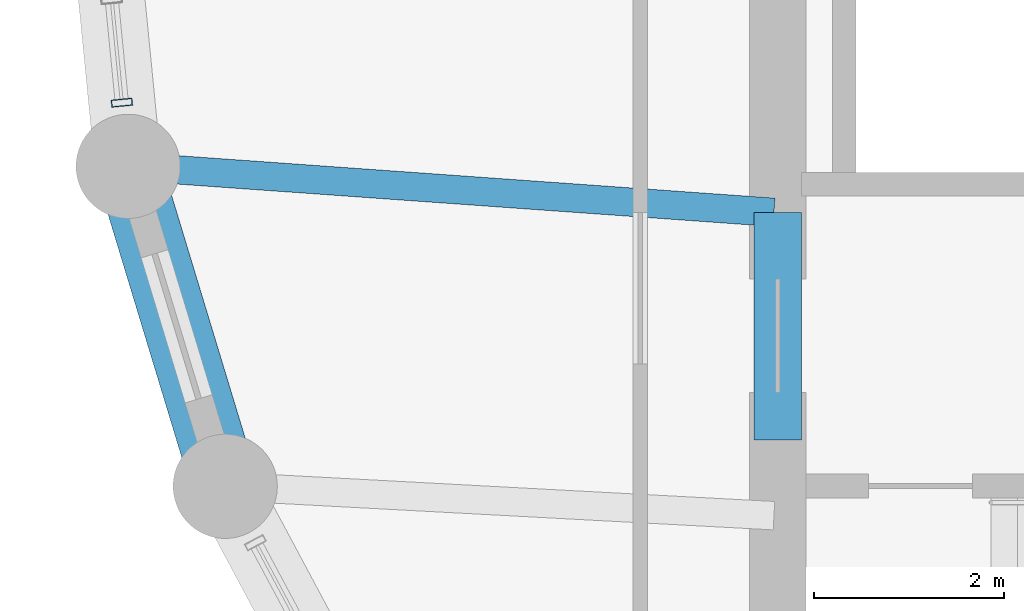
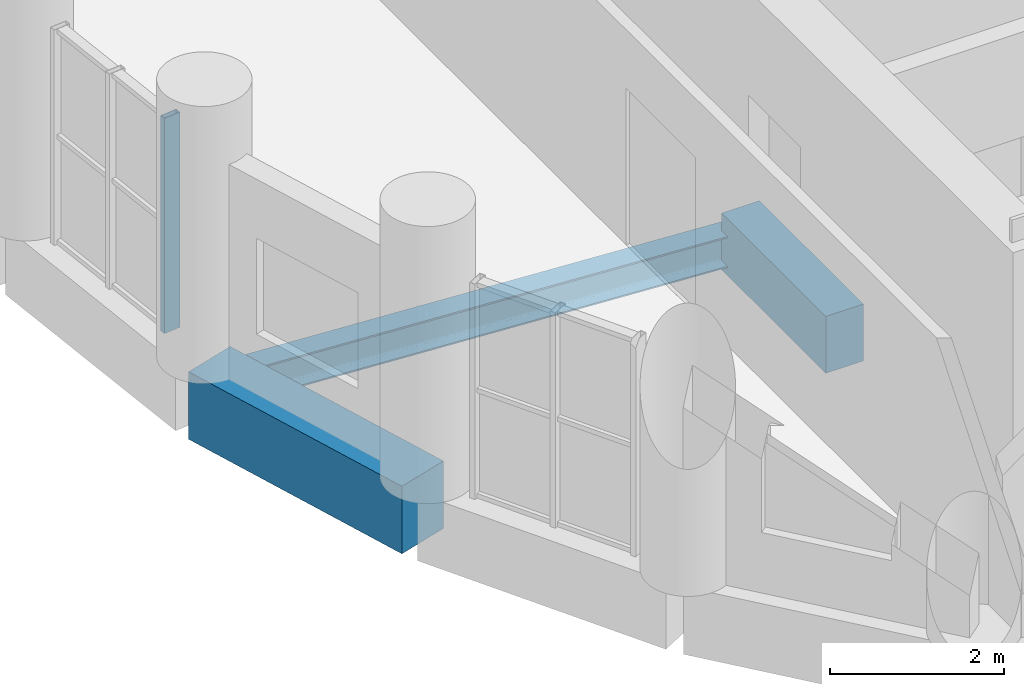
# One storey, part 3 of 13: 3 beams, 1 member, 1 element without a shape of its own.
"""IFC4 building model written with IfcOpenShell, lengths in metres."""

from ifc_helpers import new_model, si_unit, direction, frame, origin, origin_2d, place, context, subcontext, project, spatial, rectangle, hollow_rectangle, i_section, extrude, material, layer, layer_set, material_profile, profile_set, type_object, element, aggregate, save


model = new_model("IFC4")

# Units and contexts
model_context = context("Model", 3, precision=1e-05, world=origin(), true_north=direction((0.0, 1.0)))
body_context = subcontext(model_context, "Body", "Model", "MODEL_VIEW")
ifc_project = project(units=[si_unit("LENGTHUNIT", "METRE"), si_unit("AREAUNIT", "SQUARE_METRE"), si_unit("VOLUMEUNIT", "CUBIC_METRE"), si_unit("PLANEANGLEUNIT", "RADIAN"), si_unit("MASSUNIT", "GRAM", prefix="KILO")], contexts=[model_context])

# Site, building, storey
site_placement = place(None, origin())
site = spatial("IfcSite", under=ifc_project, at=site_placement, CompositionType="ELEMENT")
building_placement = place(site_placement, origin())
building = spatial("IfcBuilding", under=site, at=building_placement, Name="Solnavia Interchange Tower", CompositionType="ELEMENT")
storey_placement = place(building_placement, frame((0.0, 0.0, 111.300048828125)))
storey = spatial("IfcBuildingStorey", under=building, at=storey_placement, Name="L27", CompositionType="ELEMENT", Elevation=111.300048828125)

# Beams
ifc_material_1 = material(Name="Concrete C50/60", Category="concrete")
ifc_material_profile_1 = material_profile(ifc_material_1, rectangle(XDim=0.5, YDim=0.800048828125, at=origin_2d()), Name="RC 500x800")
ifc_profile_set_1 = profile_set([ifc_material_profile_1], Name="Concrete C50/60")
beam_type_1 = type_object("IfcBeamType", Name="Beam-Coupling-RC500x800", PredefinedType="LINTEL", material=ifc_profile_set_1)
beam_1_placement = place(storey_placement, frame((14.39990234375, 15.199951171875, -0.400146484375), z_axis=(0.0, 1.0, 0.0), x_axis=(-1.0, 0.0, 0.0)))
element("IfcBeam", 1, at=beam_1_placement, inside=storey, type_object=beam_type_1, Name="CPB-L27-W1 Core coupling lintel beam", PredefinedType="LINTEL", context=body_context, shape_type="SweptSolid", body=[
    extrude(rectangle(XDim=0.5, YDim=0.800048828125, at=origin_2d()), origin(), (0.0, 0.0, 1.0), 2.400146484375),
])
ifc_material_2 = material(Name="Steel S355", Category="steel")
ifc_material_profile_2 = material_profile(ifc_material_2, i_section(OverallWidth=0.300048828125, OverallDepth=0.43994140625, WebThickness=0.011474609375, FlangeThickness=0.02099609375, FilletRadius=0.027099609375, at=origin_2d()), Name="HEA 450")
ifc_profile_set_2 = profile_set([ifc_material_profile_2], Name="Steel S355")
beam_type_2 = type_object("IfcBeamType", Name="Beam-Primary-HEA450", PredefinedType="BEAM", material=ifc_profile_set_2)
beam_2_placement = place(storey_placement, frame((7.625732421875, 18.082275390625, -0.469970703125), z_axis=(0.99747482749, -0.071020902015, 0.0), x_axis=(0.071020902015, 0.99747482749, 0.0)))
element("IfcBeam", 2, at=beam_2_placement, inside=storey, type_object=beam_type_2, Name="GRD-L27-DR20 Drum radial floor girder", PredefinedType="BEAM", context=body_context, shape_type="SweptSolid", body=[
    extrude(i_section(OverallWidth=0.300048828125, OverallDepth=0.43994140625, WebThickness=0.011474609375, FlangeThickness=0.02099609375, FilletRadius=0.027099609375, at=origin_2d()), origin(), (0.0, 0.0, 1.0), 6.75146484375),
])
ifc_material_profile_3 = material_profile(ifc_material_1, rectangle(XDim=0.699951171875, YDim=0.949951171875, at=origin_2d()), Name="RC 700x950")
ifc_profile_set_3 = profile_set([ifc_material_profile_3], Name="Concrete C50/60")
beam_type_3 = type_object("IfcBeamType", Name="Beam-Spandrel-RC700x950", PredefinedType="SPANDREL", material=ifc_profile_set_3)
beam_3_placement = place(storey_placement, frame((7.569091796875, 18.011474609375, -0.47509765625), z_axis=(0.290319223646, -0.956929855518, 0.0), x_axis=(0.956929855518, 0.290319223646, 0.0)))
element("IfcBeam", 3, at=beam_3_placement, inside=storey, type_object=beam_type_3, Name="SPB-L27-02 Framed-tube perimeter spandrel beam", PredefinedType="SPANDREL", context=body_context, shape_type="SweptSolid", body=[
    extrude(rectangle(XDim=0.699951171875, YDim=0.949951171875, at=origin_2d()), origin(), (0.0, 0.0, 1.0), 3.367919921875),
])

# Curtain wall, member
ifc_material_3 = material(Name="Aluminium Alloy 6063-T6", Category="aluminium")
ifc_layer = layer(ifc_material_3, 0.239990234375)
ifc_layer_set = layer_set([ifc_layer], Name="Aluminium Alloy 6063-T6")
curtain_wall_type = type_object("IfcCurtainWallType", Name="CurtainWall-Drum-CTW2", PredefinedType="NOTDEFINED", material=ifc_layer_set)
curtain_wall_placement = place(storey_placement, origin())
curtain_wall = element("IfcCurtainWall", 4, at=curtain_wall_placement, inside=storey, type_object=curtain_wall_type, Name="CTW-L27-D55 CTW-2 curtain wall", PredefinedType="NOTDEFINED")
ifc_material_profile_4 = material_profile(ifc_material_3, hollow_rectangle(XDim=0.074951171875, YDim=0.219970703125, WallThickness=0.0048828125, at=origin_2d()), Name="ALU 220x75x5")
ifc_profile_set_4 = profile_set([ifc_material_profile_4], Name="Aluminium Alloy 6063-T6")
member_type = type_object("IfcMemberType", Name="CW-Mullion-CWM-2", PredefinedType="MULLION", material=ifc_profile_set_4)
member_placement = place(storey_placement, frame((7.479736328125, 18.759765625, 0.0), z_axis=(0.0, 0.0, 1.0), x_axis=(0.098045297616, -0.995181953019, 0.0)))
member = element("IfcMember", 5, at=member_placement, type_object=member_type, Name="CTW-2 mullion 3", PredefinedType="MULLION", context=body_context, shape_type="SweptSolid", body=[
    extrude(hollow_rectangle(XDim=0.074951171875, YDim=0.219970703125, WallThickness=0.0048828125, at=origin_2d()), origin(), (0.0, 0.0, 1.0), 3.030029296875),
])
aggregate(curtain_wall, [member])

save(model, "model.ifc")
